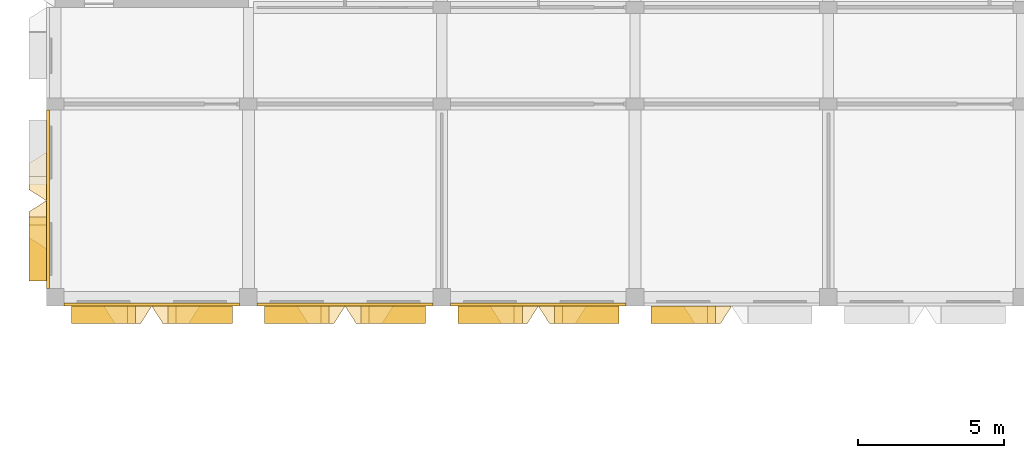
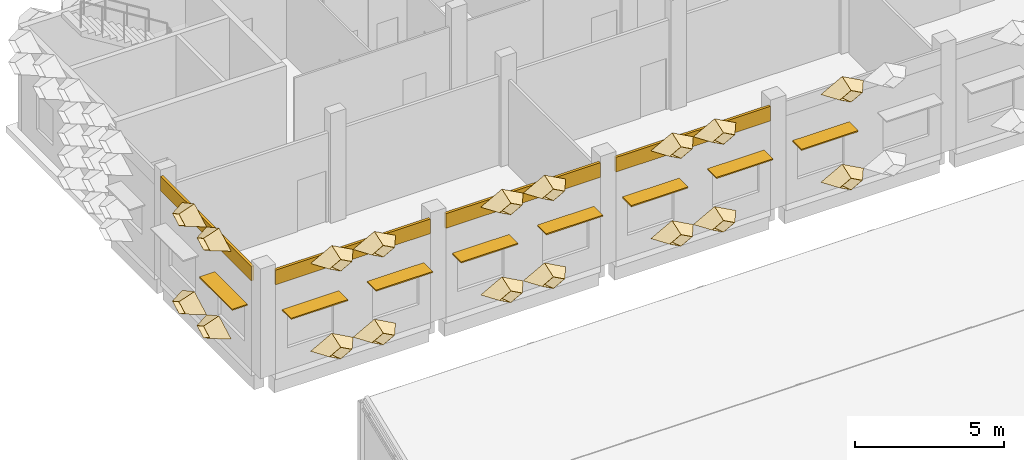
# One storey, part 85 of 109: 22 coverings, 8 shading devices.
"""IFC4 building model written with IfcOpenShell, lengths in metres."""

from ifc_helpers import new_model, entity, si_unit, direction, frame, frame_2d, origin, origin_2d, place, context, subcontext, project, spatial, rectangle, extrude, material, layer, layer_set, type_object, element, save


model = new_model("IFC4")

# Units and contexts
model_context = context("Model", 3, precision=1e-05, world=origin(), true_north=direction((0.0, 1.0)))
body_context = subcontext(model_context, "Body", "Model", "MODEL_VIEW")
ifc_project = project(units=[si_unit("LENGTHUNIT", "METRE"), si_unit("AREAUNIT", "SQUARE_METRE"), si_unit("VOLUMEUNIT", "CUBIC_METRE"), si_unit("PLANEANGLEUNIT", "RADIAN"), si_unit("MASSUNIT", "GRAM", prefix="KILO")], contexts=[model_context])

# Site, building, storey
site_placement = place(None, origin())
site = spatial("IfcSite", under=ifc_project, at=site_placement, CompositionType="ELEMENT")
building_placement = place(site_placement, origin())
building = spatial("IfcBuilding", under=site, at=building_placement, Name="Lantern Court Research Institute", CompositionType="ELEMENT")
storey_placement = place(building_placement, frame((0.0, 0.0, 14.39990234375)))
storey = spatial("IfcBuildingStorey", under=building, at=storey_placement, Name="L03", CompositionType="ELEMENT", Elevation=14.39990234375)

# Shading devices
ifc_material_1 = material(Name="Aluminium alloy 6063-T6", Category="aluminium")
ifc_layer_1 = layer(ifc_material_1, 0.050048828125)
ifc_layer_set_1 = layer_set([ifc_layer_1], Name="Aluminium alloy 6063-T6")
shading_device_type = type_object("IfcShadingDeviceType", Name="Brise-soleil blade 2200 x 600 x 50 aluminium", PredefinedType="USERDEFINED", material=ifc_layer_set_1)
for number, where, z_axis, x_axis, name in (
    (1, (1.64990234375, 81.89990234375, 2.5), (0.0, 0.0, 1.0), (-1.0, 0.0, 0.0), "Brise-soleil blade L03 S"),
    (2, (4.949951171875, 81.89990234375, 2.5), (0.0, 0.0, 1.0), (-1.0, 0.0, 0.0), "Brise-soleil blade L03 S"),
    (3, (8.25, 81.89990234375, 2.5), (0.0, 0.0, 1.0), (-1.0, 0.0, 0.0), "Brise-soleil blade L03 S"),
    (4, (11.550048828125, 81.89990234375, 2.5), (0.0, 0.0, 1.0), (-1.0, 0.0, 0.0), "Brise-soleil blade L03 S"),
    (5, (14.85009765625, 81.89990234375, 2.5), (0.0, 0.0, 1.0), (-1.0, 0.0, 0.0), "Brise-soleil blade L03 S"),
    (6, (18.14990234375, 81.89990234375, 2.5), (0.0, 0.0, 1.0), (-1.0, 0.0, 0.0), "Brise-soleil blade L03 S"),
    (7, (21.449951171875, 81.89990234375, 2.5), (0.0, 0.0, 1.0), (-1.0, 0.0, 0.0), "Brise-soleil blade L03 S"),
    (8, (-0.60009765625, 84.14990234375, 2.5), (0.0, 0.0, 1.0), (0.0, 1.0, 0.0), "Brise-soleil blade L03 W"),
):
    element("IfcShadingDevice", number, at=place(storey_placement, frame(where, z_axis=z_axis, x_axis=x_axis)), inside=storey, type_object=shading_device_type, Name=name, ObjectType="LOUVRE", PredefinedType="USERDEFINED", context=body_context, shape_type="SweptSolid", body=[
        extrude(rectangle(XDim=2.199951171875, YDim=0.60009765625, at=origin_2d()), origin(), (0.0, 0.0, 1.0), 0.050048828125),
    ])

# Coverings
ifc_material_2 = material(Name="Aluminium composite panel with mineral wool insulation", Category="aluminium")
ifc_layer_2 = layer(ifc_material_2, 0.10009765625)
ifc_layer_set_2 = layer_set([ifc_layer_2], Name="Aluminium composite panel with mineral wool insulation")
covering_type_1 = type_object("IfcCoveringType", Name="Edge fascia panel 100 aluminium faced", PredefinedType="CLADDING", material=ifc_layer_set_2)
for number, where, z_axis, x_axis, name in (
    (9, (6.300048828125, 82.25, 3.650146484375), (0.0, 0.0, 1.0), (-1.0, 0.0, 0.0), "Edge fascia V6S L03 01"),
    (10, (12.89990234375, 82.25, 3.650146484375), (0.0, 0.0, 1.0), (-1.0, 0.0, 0.0), "Edge fascia V6S L03 02"),
    (11, (19.5, 82.25, 3.650146484375), (0.0, 0.0, 1.0), (-1.0, 0.0, 0.0), "Edge fascia V6S L03 03"),
):
    element("IfcCovering", number, at=place(storey_placement, frame(where, z_axis=z_axis, x_axis=x_axis)), inside=storey, type_object=covering_type_1, Name=name, PredefinedType="CLADDING", context=body_context, shape_type="SweptSolid", body=[
        extrude(rectangle(XDim=6.0, YDim=0.10009765625, at=frame_2d((3.0, 0.0))), origin(), (0.0, 0.0, 1.0), 0.599853515625),
    ])
covering_1_placement = place(storey_placement, frame((-0.25, 82.800048828125, 3.650146484375), z_axis=(0.0, 0.0, 1.0), x_axis=(0.0, 1.0, 0.0)))
element("IfcCovering", 12, at=covering_1_placement, inside=storey, type_object=covering_type_1, Name="Edge fascia V6W L03 01", PredefinedType="CLADDING", context=body_context, shape_type="SweptSolid", body=[
    extrude(rectangle(XDim=6.099853515625, YDim=0.10009765625, at=frame_2d((3.0498046875, 0.0))), origin(), (0.0, 0.0, 1.0), 0.599853515625),
])
ifc_material_3 = material(Name="Anodised aluminium", Category="aluminium")
ifc_layer_3 = layer(ifc_material_3, 0.01611328125)
ifc_layer_set_3 = layer_set([ifc_layer_3], Name="Anodised aluminium")
covering_type_2 = type_object("IfcCoveringType", Name="Fin cassette 1650 x 900 x 600 aluminium", PredefinedType="CLADDING", material=ifc_layer_set_3)
covering_2_placement = place(storey_placement, frame((2.47509765625, 82.199951171875, 0.4501953125), z_axis=(0.0, -1.0, 0.0), x_axis=(1.0, 0.0, 0.0)))
cartesian_point_1 = entity("IfcCartesianPoint", [0.824951171875, 0.0])
cartesian_point_2 = entity("IfcCartesianPoint", [0.79150390625, 0.0])
cartesian_point_3 = entity("IfcCartesianPoint", [0.44189453125, 0.0])
cartesian_point_4 = entity("IfcCartesianPoint", [0.43359375, 0.0])
element("IfcCovering", 13, at=covering_2_placement, inside=storey, type_object=covering_type_2, Name="Fin cassette V6S-L03 1.2", PredefinedType="CLADDING", context=body_context, shape_type="SweptSolid", body=[
    entity("IfcExtrudedAreaSolidTapered", entity("IfcArbitraryProfileDefWithVoids", "AREA", None, entity("IfcPolyline", [cartesian_point_1, entity("IfcCartesianPoint", [0.0, 0.449951171875]), entity("IfcCartesianPoint", [-0.824951171875, 0.0]), entity("IfcCartesianPoint", [0.0, -0.449951171875]), cartesian_point_1]), [entity("IfcPolyline", [cartesian_point_2, entity("IfcCartesianPoint", [0.0, 0.431884765625]), entity("IfcCartesianPoint", [-0.79150390625, 0.0]), entity("IfcCartesianPoint", [0.0, -0.431884765625]), cartesian_point_2])]), entity("IfcAxis2Placement3D", entity("IfcCartesianPoint", [0.0, 0.0, 0.0])), entity("IfcDirection", [0.0, 0.0, 1.0]), 0.60009765625, entity("IfcArbitraryProfileDefWithVoids", "AREA", None, entity("IfcPolyline", [cartesian_point_3, entity("IfcCartesianPoint", [0.0, 0.240966796875]), entity("IfcCartesianPoint", [-0.44189453125, 0.0]), entity("IfcCartesianPoint", [0.0, -0.240966796875]), cartesian_point_3]), [entity("IfcPolyline", [cartesian_point_4, entity("IfcCartesianPoint", [0.0, 0.236572265625]), entity("IfcCartesianPoint", [-0.43359375, 0.0]), entity("IfcCartesianPoint", [0.0, -0.236572265625]), cartesian_point_4])])),
])
covering_3_placement = place(storey_placement, frame((4.125, 82.199951171875, 0.4501953125), z_axis=(0.0, -1.0, 0.0), x_axis=(1.0, 0.0, 0.0)))
cartesian_point_5 = entity("IfcCartesianPoint", [0.824951171875, 0.0])
cartesian_point_6 = entity("IfcCartesianPoint", [0.79150390625, 0.0])
cartesian_point_7 = entity("IfcCartesianPoint", [0.44189453125, 0.0])
cartesian_point_8 = entity("IfcCartesianPoint", [0.43359375, 0.0])
element("IfcCovering", 14, at=covering_3_placement, inside=storey, type_object=covering_type_2, Name="Fin cassette V6S-L03 1.3", PredefinedType="CLADDING", context=body_context, shape_type="SweptSolid", body=[
    entity("IfcExtrudedAreaSolidTapered", entity("IfcArbitraryProfileDefWithVoids", "AREA", None, entity("IfcPolyline", [cartesian_point_5, entity("IfcCartesianPoint", [0.0, 0.449951171875]), entity("IfcCartesianPoint", [-0.824951171875, 0.0]), entity("IfcCartesianPoint", [0.0, -0.449951171875]), cartesian_point_5]), [entity("IfcPolyline", [cartesian_point_6, entity("IfcCartesianPoint", [0.0, 0.431884765625]), entity("IfcCartesianPoint", [-0.79150390625, 0.0]), entity("IfcCartesianPoint", [0.0, -0.431884765625]), cartesian_point_6])]), entity("IfcAxis2Placement3D", entity("IfcCartesianPoint", [0.0, 0.0, 0.0])), entity("IfcDirection", [0.0, 0.0, 1.0]), 0.60009765625, entity("IfcArbitraryProfileDefWithVoids", "AREA", None, entity("IfcPolyline", [cartesian_point_7, entity("IfcCartesianPoint", [0.0, 0.240966796875]), entity("IfcCartesianPoint", [-0.44189453125, 0.0]), entity("IfcCartesianPoint", [0.0, -0.240966796875]), cartesian_point_7]), [entity("IfcPolyline", [cartesian_point_8, entity("IfcCartesianPoint", [0.0, 0.236572265625]), entity("IfcCartesianPoint", [-0.43359375, 0.0]), entity("IfcCartesianPoint", [0.0, -0.236572265625]), cartesian_point_8])])),
])
covering_4_placement = place(storey_placement, frame((9.074951171875, 82.199951171875, 0.4501953125), z_axis=(0.0, -1.0, 0.0), x_axis=(1.0, 0.0, 0.0)))
cartesian_point_9 = entity("IfcCartesianPoint", [0.824951171875, 0.0])
cartesian_point_10 = entity("IfcCartesianPoint", [0.79150390625, 0.0])
cartesian_point_11 = entity("IfcCartesianPoint", [0.44189453125, 0.0])
cartesian_point_12 = entity("IfcCartesianPoint", [0.43359375, 0.0])
element("IfcCovering", 15, at=covering_4_placement, inside=storey, type_object=covering_type_2, Name="Fin cassette V6S-L03 1.6", PredefinedType="CLADDING", context=body_context, shape_type="SweptSolid", body=[
    entity("IfcExtrudedAreaSolidTapered", entity("IfcArbitraryProfileDefWithVoids", "AREA", None, entity("IfcPolyline", [cartesian_point_9, entity("IfcCartesianPoint", [0.0, 0.449951171875]), entity("IfcCartesianPoint", [-0.824951171875, 0.0]), entity("IfcCartesianPoint", [0.0, -0.449951171875]), cartesian_point_9]), [entity("IfcPolyline", [cartesian_point_10, entity("IfcCartesianPoint", [0.0, 0.431884765625]), entity("IfcCartesianPoint", [-0.79150390625, 0.0]), entity("IfcCartesianPoint", [0.0, -0.431884765625]), cartesian_point_10])]), entity("IfcAxis2Placement3D", entity("IfcCartesianPoint", [0.0, 0.0, 0.0])), entity("IfcDirection", [0.0, 0.0, 1.0]), 0.60009765625, entity("IfcArbitraryProfileDefWithVoids", "AREA", None, entity("IfcPolyline", [cartesian_point_11, entity("IfcCartesianPoint", [0.0, 0.240966796875]), entity("IfcCartesianPoint", [-0.44189453125, 0.0]), entity("IfcCartesianPoint", [0.0, -0.240966796875]), cartesian_point_11]), [entity("IfcPolyline", [cartesian_point_12, entity("IfcCartesianPoint", [0.0, 0.236572265625]), entity("IfcCartesianPoint", [-0.43359375, 0.0]), entity("IfcCartesianPoint", [0.0, -0.236572265625]), cartesian_point_12])])),
])
covering_5_placement = place(storey_placement, frame((10.72509765625, 82.199951171875, 0.4501953125), z_axis=(0.0, -1.0, 0.0), x_axis=(1.0, 0.0, 0.0)))
cartesian_point_13 = entity("IfcCartesianPoint", [0.824951171875, 0.0])
cartesian_point_14 = entity("IfcCartesianPoint", [0.79150390625, 0.0])
cartesian_point_15 = entity("IfcCartesianPoint", [0.44189453125, 0.0])
cartesian_point_16 = entity("IfcCartesianPoint", [0.43359375, 0.0])
element("IfcCovering", 16, at=covering_5_placement, inside=storey, type_object=covering_type_2, Name="Fin cassette V6S-L03 1.7", PredefinedType="CLADDING", context=body_context, shape_type="SweptSolid", body=[
    entity("IfcExtrudedAreaSolidTapered", entity("IfcArbitraryProfileDefWithVoids", "AREA", None, entity("IfcPolyline", [cartesian_point_13, entity("IfcCartesianPoint", [0.0, 0.449951171875]), entity("IfcCartesianPoint", [-0.824951171875, 0.0]), entity("IfcCartesianPoint", [0.0, -0.449951171875]), cartesian_point_13]), [entity("IfcPolyline", [cartesian_point_14, entity("IfcCartesianPoint", [0.0, 0.431884765625]), entity("IfcCartesianPoint", [-0.79150390625, 0.0]), entity("IfcCartesianPoint", [0.0, -0.431884765625]), cartesian_point_14])]), entity("IfcAxis2Placement3D", entity("IfcCartesianPoint", [0.0, 0.0, 0.0])), entity("IfcDirection", [0.0, 0.0, 1.0]), 0.60009765625, entity("IfcArbitraryProfileDefWithVoids", "AREA", None, entity("IfcPolyline", [cartesian_point_15, entity("IfcCartesianPoint", [0.0, 0.240966796875]), entity("IfcCartesianPoint", [-0.44189453125, 0.0]), entity("IfcCartesianPoint", [0.0, -0.240966796875]), cartesian_point_15]), [entity("IfcPolyline", [cartesian_point_16, entity("IfcCartesianPoint", [0.0, 0.236572265625]), entity("IfcCartesianPoint", [-0.43359375, 0.0]), entity("IfcCartesianPoint", [0.0, -0.236572265625]), cartesian_point_16])])),
])
covering_6_placement = place(storey_placement, frame((15.675048828125, 82.199951171875, 0.4501953125), z_axis=(0.0, -1.0, 0.0), x_axis=(1.0, 0.0, 0.0)))
cartesian_point_17 = entity("IfcCartesianPoint", [0.824951171875, 0.0])
cartesian_point_18 = entity("IfcCartesianPoint", [0.79150390625, 0.0])
cartesian_point_19 = entity("IfcCartesianPoint", [0.44189453125, 0.0])
cartesian_point_20 = entity("IfcCartesianPoint", [0.43359375, 0.0])
element("IfcCovering", 17, at=covering_6_placement, inside=storey, type_object=covering_type_2, Name="Fin cassette V6S-L03 1.10", PredefinedType="CLADDING", context=body_context, shape_type="SweptSolid", body=[
    entity("IfcExtrudedAreaSolidTapered", entity("IfcArbitraryProfileDefWithVoids", "AREA", None, entity("IfcPolyline", [cartesian_point_17, entity("IfcCartesianPoint", [0.0, 0.449951171875]), entity("IfcCartesianPoint", [-0.824951171875, 0.0]), entity("IfcCartesianPoint", [0.0, -0.449951171875]), cartesian_point_17]), [entity("IfcPolyline", [cartesian_point_18, entity("IfcCartesianPoint", [0.0, 0.431884765625]), entity("IfcCartesianPoint", [-0.79150390625, 0.0]), entity("IfcCartesianPoint", [0.0, -0.431884765625]), cartesian_point_18])]), entity("IfcAxis2Placement3D", entity("IfcCartesianPoint", [0.0, 0.0, 0.0])), entity("IfcDirection", [0.0, 0.0, 1.0]), 0.60009765625, entity("IfcArbitraryProfileDefWithVoids", "AREA", None, entity("IfcPolyline", [cartesian_point_19, entity("IfcCartesianPoint", [0.0, 0.240966796875]), entity("IfcCartesianPoint", [-0.44189453125, 0.0]), entity("IfcCartesianPoint", [0.0, -0.240966796875]), cartesian_point_19]), [entity("IfcPolyline", [cartesian_point_20, entity("IfcCartesianPoint", [0.0, 0.236572265625]), entity("IfcCartesianPoint", [-0.43359375, 0.0]), entity("IfcCartesianPoint", [0.0, -0.236572265625]), cartesian_point_20])])),
])
covering_7_placement = place(storey_placement, frame((17.324951171875, 82.199951171875, 0.4501953125), z_axis=(0.0, -1.0, 0.0), x_axis=(1.0, 0.0, 0.0)))
cartesian_point_21 = entity("IfcCartesianPoint", [0.824951171875, 0.0])
cartesian_point_22 = entity("IfcCartesianPoint", [0.79150390625, 0.0])
cartesian_point_23 = entity("IfcCartesianPoint", [0.44189453125, 0.0])
cartesian_point_24 = entity("IfcCartesianPoint", [0.43359375, 0.0])
element("IfcCovering", 18, at=covering_7_placement, inside=storey, type_object=covering_type_2, Name="Fin cassette V6S-L03 1.11", PredefinedType="CLADDING", context=body_context, shape_type="SweptSolid", body=[
    entity("IfcExtrudedAreaSolidTapered", entity("IfcArbitraryProfileDefWithVoids", "AREA", None, entity("IfcPolyline", [cartesian_point_21, entity("IfcCartesianPoint", [0.0, 0.449951171875]), entity("IfcCartesianPoint", [-0.824951171875, 0.0]), entity("IfcCartesianPoint", [0.0, -0.449951171875]), cartesian_point_21]), [entity("IfcPolyline", [cartesian_point_22, entity("IfcCartesianPoint", [0.0, 0.431884765625]), entity("IfcCartesianPoint", [-0.79150390625, 0.0]), entity("IfcCartesianPoint", [0.0, -0.431884765625]), cartesian_point_22])]), entity("IfcAxis2Placement3D", entity("IfcCartesianPoint", [0.0, 0.0, 0.0])), entity("IfcDirection", [0.0, 0.0, 1.0]), 0.60009765625, entity("IfcArbitraryProfileDefWithVoids", "AREA", None, entity("IfcPolyline", [cartesian_point_23, entity("IfcCartesianPoint", [0.0, 0.240966796875]), entity("IfcCartesianPoint", [-0.44189453125, 0.0]), entity("IfcCartesianPoint", [0.0, -0.240966796875]), cartesian_point_23]), [entity("IfcPolyline", [cartesian_point_24, entity("IfcCartesianPoint", [0.0, 0.236572265625]), entity("IfcCartesianPoint", [-0.43359375, 0.0]), entity("IfcCartesianPoint", [0.0, -0.236572265625]), cartesian_point_24])])),
])
covering_8_placement = place(storey_placement, frame((22.27490234375, 82.199951171875, 0.4501953125), z_axis=(0.0, -1.0, 0.0), x_axis=(1.0, 0.0, 0.0)))
cartesian_point_25 = entity("IfcCartesianPoint", [0.824951171875, 0.0])
cartesian_point_26 = entity("IfcCartesianPoint", [0.79150390625, 0.0])
cartesian_point_27 = entity("IfcCartesianPoint", [0.44189453125, 0.0])
cartesian_point_28 = entity("IfcCartesianPoint", [0.43359375, 0.0])
element("IfcCovering", 19, at=covering_8_placement, inside=storey, type_object=covering_type_2, Name="Fin cassette V6S-L03 1.14", PredefinedType="CLADDING", context=body_context, shape_type="SweptSolid", body=[
    entity("IfcExtrudedAreaSolidTapered", entity("IfcArbitraryProfileDefWithVoids", "AREA", None, entity("IfcPolyline", [cartesian_point_25, entity("IfcCartesianPoint", [0.0, 0.449951171875]), entity("IfcCartesianPoint", [-0.824951171875, 0.0]), entity("IfcCartesianPoint", [0.0, -0.449951171875]), cartesian_point_25]), [entity("IfcPolyline", [cartesian_point_26, entity("IfcCartesianPoint", [0.0, 0.431884765625]), entity("IfcCartesianPoint", [-0.79150390625, 0.0]), entity("IfcCartesianPoint", [0.0, -0.431884765625]), cartesian_point_26])]), entity("IfcAxis2Placement3D", entity("IfcCartesianPoint", [0.0, 0.0, 0.0])), entity("IfcDirection", [0.0, 0.0, 1.0]), 0.60009765625, entity("IfcArbitraryProfileDefWithVoids", "AREA", None, entity("IfcPolyline", [cartesian_point_27, entity("IfcCartesianPoint", [0.0, 0.240966796875]), entity("IfcCartesianPoint", [-0.44189453125, 0.0]), entity("IfcCartesianPoint", [0.0, -0.240966796875]), cartesian_point_27]), [entity("IfcPolyline", [cartesian_point_28, entity("IfcCartesianPoint", [0.0, 0.236572265625]), entity("IfcCartesianPoint", [-0.43359375, 0.0]), entity("IfcCartesianPoint", [0.0, -0.236572265625]), cartesian_point_28])])),
])
covering_9_placement = place(storey_placement, frame((2.47509765625, 82.199951171875, 4.050048828125), z_axis=(0.0, -1.0, 0.0), x_axis=(1.0, 0.0, 0.0)))
cartesian_point_29 = entity("IfcCartesianPoint", [0.824951171875, 0.0])
cartesian_point_30 = entity("IfcCartesianPoint", [0.79150390625, 0.0])
cartesian_point_31 = entity("IfcCartesianPoint", [0.44189453125, 0.0])
cartesian_point_32 = entity("IfcCartesianPoint", [0.43359375, 0.0])
element("IfcCovering", 20, at=covering_9_placement, inside=storey, type_object=covering_type_2, Name="Fin cassette V6S-L03 5.2", PredefinedType="CLADDING", context=body_context, shape_type="SweptSolid", body=[
    entity("IfcExtrudedAreaSolidTapered", entity("IfcArbitraryProfileDefWithVoids", "AREA", None, entity("IfcPolyline", [cartesian_point_29, entity("IfcCartesianPoint", [0.0, 0.449951171875]), entity("IfcCartesianPoint", [-0.824951171875, 0.0]), entity("IfcCartesianPoint", [0.0, -0.449951171875]), cartesian_point_29]), [entity("IfcPolyline", [cartesian_point_30, entity("IfcCartesianPoint", [0.0, 0.431884765625]), entity("IfcCartesianPoint", [-0.79150390625, 0.0]), entity("IfcCartesianPoint", [0.0, -0.431884765625]), cartesian_point_30])]), entity("IfcAxis2Placement3D", entity("IfcCartesianPoint", [0.0, 0.0, 0.0])), entity("IfcDirection", [0.0, 0.0, 1.0]), 0.60009765625, entity("IfcArbitraryProfileDefWithVoids", "AREA", None, entity("IfcPolyline", [cartesian_point_31, entity("IfcCartesianPoint", [0.0, 0.240966796875]), entity("IfcCartesianPoint", [-0.44189453125, 0.0]), entity("IfcCartesianPoint", [0.0, -0.240966796875]), cartesian_point_31]), [entity("IfcPolyline", [cartesian_point_32, entity("IfcCartesianPoint", [0.0, 0.236572265625]), entity("IfcCartesianPoint", [-0.43359375, 0.0]), entity("IfcCartesianPoint", [0.0, -0.236572265625]), cartesian_point_32])])),
])
covering_10_placement = place(storey_placement, frame((4.125, 82.199951171875, 4.050048828125), z_axis=(0.0, -1.0, 0.0), x_axis=(1.0, 0.0, 0.0)))
cartesian_point_33 = entity("IfcCartesianPoint", [0.824951171875, 0.0])
cartesian_point_34 = entity("IfcCartesianPoint", [0.79150390625, 0.0])
cartesian_point_35 = entity("IfcCartesianPoint", [0.44189453125, 0.0])
cartesian_point_36 = entity("IfcCartesianPoint", [0.43359375, 0.0])
element("IfcCovering", 21, at=covering_10_placement, inside=storey, type_object=covering_type_2, Name="Fin cassette V6S-L03 5.3", PredefinedType="CLADDING", context=body_context, shape_type="SweptSolid", body=[
    entity("IfcExtrudedAreaSolidTapered", entity("IfcArbitraryProfileDefWithVoids", "AREA", None, entity("IfcPolyline", [cartesian_point_33, entity("IfcCartesianPoint", [0.0, 0.449951171875]), entity("IfcCartesianPoint", [-0.824951171875, 0.0]), entity("IfcCartesianPoint", [0.0, -0.449951171875]), cartesian_point_33]), [entity("IfcPolyline", [cartesian_point_34, entity("IfcCartesianPoint", [0.0, 0.431884765625]), entity("IfcCartesianPoint", [-0.79150390625, 0.0]), entity("IfcCartesianPoint", [0.0, -0.431884765625]), cartesian_point_34])]), entity("IfcAxis2Placement3D", entity("IfcCartesianPoint", [0.0, 0.0, 0.0])), entity("IfcDirection", [0.0, 0.0, 1.0]), 0.60009765625, entity("IfcArbitraryProfileDefWithVoids", "AREA", None, entity("IfcPolyline", [cartesian_point_35, entity("IfcCartesianPoint", [0.0, 0.240966796875]), entity("IfcCartesianPoint", [-0.44189453125, 0.0]), entity("IfcCartesianPoint", [0.0, -0.240966796875]), cartesian_point_35]), [entity("IfcPolyline", [cartesian_point_36, entity("IfcCartesianPoint", [0.0, 0.236572265625]), entity("IfcCartesianPoint", [-0.43359375, 0.0]), entity("IfcCartesianPoint", [0.0, -0.236572265625]), cartesian_point_36])])),
])
covering_11_placement = place(storey_placement, frame((9.074951171875, 82.199951171875, 4.050048828125), z_axis=(0.0, -1.0, 0.0), x_axis=(1.0, 0.0, 0.0)))
cartesian_point_37 = entity("IfcCartesianPoint", [0.824951171875, 0.0])
cartesian_point_38 = entity("IfcCartesianPoint", [0.79150390625, 0.0])
cartesian_point_39 = entity("IfcCartesianPoint", [0.44189453125, 0.0])
cartesian_point_40 = entity("IfcCartesianPoint", [0.43359375, 0.0])
element("IfcCovering", 22, at=covering_11_placement, inside=storey, type_object=covering_type_2, Name="Fin cassette V6S-L03 5.6", PredefinedType="CLADDING", context=body_context, shape_type="SweptSolid", body=[
    entity("IfcExtrudedAreaSolidTapered", entity("IfcArbitraryProfileDefWithVoids", "AREA", None, entity("IfcPolyline", [cartesian_point_37, entity("IfcCartesianPoint", [0.0, 0.449951171875]), entity("IfcCartesianPoint", [-0.824951171875, 0.0]), entity("IfcCartesianPoint", [0.0, -0.449951171875]), cartesian_point_37]), [entity("IfcPolyline", [cartesian_point_38, entity("IfcCartesianPoint", [0.0, 0.431884765625]), entity("IfcCartesianPoint", [-0.79150390625, 0.0]), entity("IfcCartesianPoint", [0.0, -0.431884765625]), cartesian_point_38])]), entity("IfcAxis2Placement3D", entity("IfcCartesianPoint", [0.0, 0.0, 0.0])), entity("IfcDirection", [0.0, 0.0, 1.0]), 0.60009765625, entity("IfcArbitraryProfileDefWithVoids", "AREA", None, entity("IfcPolyline", [cartesian_point_39, entity("IfcCartesianPoint", [0.0, 0.240966796875]), entity("IfcCartesianPoint", [-0.44189453125, 0.0]), entity("IfcCartesianPoint", [0.0, -0.240966796875]), cartesian_point_39]), [entity("IfcPolyline", [cartesian_point_40, entity("IfcCartesianPoint", [0.0, 0.236572265625]), entity("IfcCartesianPoint", [-0.43359375, 0.0]), entity("IfcCartesianPoint", [0.0, -0.236572265625]), cartesian_point_40])])),
])
covering_12_placement = place(storey_placement, frame((10.72509765625, 82.199951171875, 4.050048828125), z_axis=(0.0, -1.0, 0.0), x_axis=(1.0, 0.0, 0.0)))
cartesian_point_41 = entity("IfcCartesianPoint", [0.824951171875, 0.0])
cartesian_point_42 = entity("IfcCartesianPoint", [0.79150390625, 0.0])
cartesian_point_43 = entity("IfcCartesianPoint", [0.44189453125, 0.0])
cartesian_point_44 = entity("IfcCartesianPoint", [0.43359375, 0.0])
element("IfcCovering", 23, at=covering_12_placement, inside=storey, type_object=covering_type_2, Name="Fin cassette V6S-L03 5.7", PredefinedType="CLADDING", context=body_context, shape_type="SweptSolid", body=[
    entity("IfcExtrudedAreaSolidTapered", entity("IfcArbitraryProfileDefWithVoids", "AREA", None, entity("IfcPolyline", [cartesian_point_41, entity("IfcCartesianPoint", [0.0, 0.449951171875]), entity("IfcCartesianPoint", [-0.824951171875, 0.0]), entity("IfcCartesianPoint", [0.0, -0.449951171875]), cartesian_point_41]), [entity("IfcPolyline", [cartesian_point_42, entity("IfcCartesianPoint", [0.0, 0.431884765625]), entity("IfcCartesianPoint", [-0.79150390625, 0.0]), entity("IfcCartesianPoint", [0.0, -0.431884765625]), cartesian_point_42])]), entity("IfcAxis2Placement3D", entity("IfcCartesianPoint", [0.0, 0.0, 0.0])), entity("IfcDirection", [0.0, 0.0, 1.0]), 0.60009765625, entity("IfcArbitraryProfileDefWithVoids", "AREA", None, entity("IfcPolyline", [cartesian_point_43, entity("IfcCartesianPoint", [0.0, 0.240966796875]), entity("IfcCartesianPoint", [-0.44189453125, 0.0]), entity("IfcCartesianPoint", [0.0, -0.240966796875]), cartesian_point_43]), [entity("IfcPolyline", [cartesian_point_44, entity("IfcCartesianPoint", [0.0, 0.236572265625]), entity("IfcCartesianPoint", [-0.43359375, 0.0]), entity("IfcCartesianPoint", [0.0, -0.236572265625]), cartesian_point_44])])),
])
covering_13_placement = place(storey_placement, frame((15.675048828125, 82.199951171875, 4.050048828125), z_axis=(0.0, -1.0, 0.0), x_axis=(1.0, 0.0, 0.0)))
cartesian_point_45 = entity("IfcCartesianPoint", [0.824951171875, 0.0])
cartesian_point_46 = entity("IfcCartesianPoint", [0.79150390625, 0.0])
cartesian_point_47 = entity("IfcCartesianPoint", [0.44189453125, 0.0])
cartesian_point_48 = entity("IfcCartesianPoint", [0.43359375, 0.0])
element("IfcCovering", 24, at=covering_13_placement, inside=storey, type_object=covering_type_2, Name="Fin cassette V6S-L03 5.10", PredefinedType="CLADDING", context=body_context, shape_type="SweptSolid", body=[
    entity("IfcExtrudedAreaSolidTapered", entity("IfcArbitraryProfileDefWithVoids", "AREA", None, entity("IfcPolyline", [cartesian_point_45, entity("IfcCartesianPoint", [0.0, 0.449951171875]), entity("IfcCartesianPoint", [-0.824951171875, 0.0]), entity("IfcCartesianPoint", [0.0, -0.449951171875]), cartesian_point_45]), [entity("IfcPolyline", [cartesian_point_46, entity("IfcCartesianPoint", [0.0, 0.431884765625]), entity("IfcCartesianPoint", [-0.79150390625, 0.0]), entity("IfcCartesianPoint", [0.0, -0.431884765625]), cartesian_point_46])]), entity("IfcAxis2Placement3D", entity("IfcCartesianPoint", [0.0, 0.0, 0.0])), entity("IfcDirection", [0.0, 0.0, 1.0]), 0.60009765625, entity("IfcArbitraryProfileDefWithVoids", "AREA", None, entity("IfcPolyline", [cartesian_point_47, entity("IfcCartesianPoint", [0.0, 0.240966796875]), entity("IfcCartesianPoint", [-0.44189453125, 0.0]), entity("IfcCartesianPoint", [0.0, -0.240966796875]), cartesian_point_47]), [entity("IfcPolyline", [cartesian_point_48, entity("IfcCartesianPoint", [0.0, 0.236572265625]), entity("IfcCartesianPoint", [-0.43359375, 0.0]), entity("IfcCartesianPoint", [0.0, -0.236572265625]), cartesian_point_48])])),
])
covering_14_placement = place(storey_placement, frame((17.324951171875, 82.199951171875, 4.050048828125), z_axis=(0.0, -1.0, 0.0), x_axis=(1.0, 0.0, 0.0)))
cartesian_point_49 = entity("IfcCartesianPoint", [0.824951171875, 0.0])
cartesian_point_50 = entity("IfcCartesianPoint", [0.79150390625, 0.0])
cartesian_point_51 = entity("IfcCartesianPoint", [0.44189453125, 0.0])
cartesian_point_52 = entity("IfcCartesianPoint", [0.43359375, 0.0])
element("IfcCovering", 25, at=covering_14_placement, inside=storey, type_object=covering_type_2, Name="Fin cassette V6S-L03 5.11", PredefinedType="CLADDING", context=body_context, shape_type="SweptSolid", body=[
    entity("IfcExtrudedAreaSolidTapered", entity("IfcArbitraryProfileDefWithVoids", "AREA", None, entity("IfcPolyline", [cartesian_point_49, entity("IfcCartesianPoint", [0.0, 0.449951171875]), entity("IfcCartesianPoint", [-0.824951171875, 0.0]), entity("IfcCartesianPoint", [0.0, -0.449951171875]), cartesian_point_49]), [entity("IfcPolyline", [cartesian_point_50, entity("IfcCartesianPoint", [0.0, 0.431884765625]), entity("IfcCartesianPoint", [-0.79150390625, 0.0]), entity("IfcCartesianPoint", [0.0, -0.431884765625]), cartesian_point_50])]), entity("IfcAxis2Placement3D", entity("IfcCartesianPoint", [0.0, 0.0, 0.0])), entity("IfcDirection", [0.0, 0.0, 1.0]), 0.60009765625, entity("IfcArbitraryProfileDefWithVoids", "AREA", None, entity("IfcPolyline", [cartesian_point_51, entity("IfcCartesianPoint", [0.0, 0.240966796875]), entity("IfcCartesianPoint", [-0.44189453125, 0.0]), entity("IfcCartesianPoint", [0.0, -0.240966796875]), cartesian_point_51]), [entity("IfcPolyline", [cartesian_point_52, entity("IfcCartesianPoint", [0.0, 0.236572265625]), entity("IfcCartesianPoint", [-0.43359375, 0.0]), entity("IfcCartesianPoint", [0.0, -0.236572265625]), cartesian_point_52])])),
])
covering_15_placement = place(storey_placement, frame((22.27490234375, 82.199951171875, 4.050048828125), z_axis=(0.0, -1.0, 0.0), x_axis=(1.0, 0.0, 0.0)))
cartesian_point_53 = entity("IfcCartesianPoint", [0.824951171875, 0.0])
cartesian_point_54 = entity("IfcCartesianPoint", [0.79150390625, 0.0])
cartesian_point_55 = entity("IfcCartesianPoint", [0.44189453125, 0.0])
cartesian_point_56 = entity("IfcCartesianPoint", [0.43359375, 0.0])
element("IfcCovering", 26, at=covering_15_placement, inside=storey, type_object=covering_type_2, Name="Fin cassette V6S-L03 5.14", PredefinedType="CLADDING", context=body_context, shape_type="SweptSolid", body=[
    entity("IfcExtrudedAreaSolidTapered", entity("IfcArbitraryProfileDefWithVoids", "AREA", None, entity("IfcPolyline", [cartesian_point_53, entity("IfcCartesianPoint", [0.0, 0.449951171875]), entity("IfcCartesianPoint", [-0.824951171875, 0.0]), entity("IfcCartesianPoint", [0.0, -0.449951171875]), cartesian_point_53]), [entity("IfcPolyline", [cartesian_point_54, entity("IfcCartesianPoint", [0.0, 0.431884765625]), entity("IfcCartesianPoint", [-0.79150390625, 0.0]), entity("IfcCartesianPoint", [0.0, -0.431884765625]), cartesian_point_54])]), entity("IfcAxis2Placement3D", entity("IfcCartesianPoint", [0.0, 0.0, 0.0])), entity("IfcDirection", [0.0, 0.0, 1.0]), 0.60009765625, entity("IfcArbitraryProfileDefWithVoids", "AREA", None, entity("IfcPolyline", [cartesian_point_55, entity("IfcCartesianPoint", [0.0, 0.240966796875]), entity("IfcCartesianPoint", [-0.44189453125, 0.0]), entity("IfcCartesianPoint", [0.0, -0.240966796875]), cartesian_point_55]), [entity("IfcPolyline", [cartesian_point_56, entity("IfcCartesianPoint", [0.0, 0.236572265625]), entity("IfcCartesianPoint", [-0.43359375, 0.0]), entity("IfcCartesianPoint", [0.0, -0.236572265625]), cartesian_point_56])])),
])
covering_16_placement = place(storey_placement, frame((-0.300048828125, 84.97509765625, 0.4501953125), z_axis=(-1.0, 0.0, 0.0), x_axis=(0.0, -1.0, 0.0)))
cartesian_point_57 = entity("IfcCartesianPoint", [0.824951171875, 0.0])
cartesian_point_58 = entity("IfcCartesianPoint", [0.79150390625, 0.0])
cartesian_point_59 = entity("IfcCartesianPoint", [0.44189453125, 0.0])
cartesian_point_60 = entity("IfcCartesianPoint", [0.43359375, 0.0])
element("IfcCovering", 27, at=covering_16_placement, inside=storey, type_object=covering_type_2, Name="Fin cassette V6W-L03 1.52", PredefinedType="CLADDING", context=body_context, shape_type="SweptSolid", body=[
    entity("IfcExtrudedAreaSolidTapered", entity("IfcArbitraryProfileDefWithVoids", "AREA", None, entity("IfcPolyline", [cartesian_point_57, entity("IfcCartesianPoint", [0.0, 0.449951171875]), entity("IfcCartesianPoint", [-0.824951171875, 0.0]), entity("IfcCartesianPoint", [0.0, -0.449951171875]), cartesian_point_57]), [entity("IfcPolyline", [cartesian_point_58, entity("IfcCartesianPoint", [0.0, 0.431884765625]), entity("IfcCartesianPoint", [-0.79150390625, 0.0]), entity("IfcCartesianPoint", [0.0, -0.431884765625]), cartesian_point_58])]), entity("IfcAxis2Placement3D", entity("IfcCartesianPoint", [0.0, 0.0, 0.0])), entity("IfcDirection", [0.0, 0.0, 1.0]), 0.60009765625, entity("IfcArbitraryProfileDefWithVoids", "AREA", None, entity("IfcPolyline", [cartesian_point_59, entity("IfcCartesianPoint", [0.0, 0.240966796875]), entity("IfcCartesianPoint", [-0.44189453125, 0.0]), entity("IfcCartesianPoint", [0.0, -0.240966796875]), cartesian_point_59]), [entity("IfcPolyline", [cartesian_point_60, entity("IfcCartesianPoint", [0.0, 0.236572265625]), entity("IfcCartesianPoint", [-0.43359375, 0.0]), entity("IfcCartesianPoint", [0.0, -0.236572265625]), cartesian_point_60])])),
])
covering_17_placement = place(storey_placement, frame((-0.300048828125, 86.625, 0.4501953125), z_axis=(-1.0, 0.0, 0.0), x_axis=(0.0, -1.0, 0.0)))
cartesian_point_61 = entity("IfcCartesianPoint", [0.824951171875, 0.0])
cartesian_point_62 = entity("IfcCartesianPoint", [0.79150390625, 0.0])
cartesian_point_63 = entity("IfcCartesianPoint", [0.44189453125, 0.0])
cartesian_point_64 = entity("IfcCartesianPoint", [0.43359375, 0.0])
element("IfcCovering", 28, at=covering_17_placement, inside=storey, type_object=covering_type_2, Name="Fin cassette V6W-L03 1.53", PredefinedType="CLADDING", context=body_context, shape_type="SweptSolid", body=[
    entity("IfcExtrudedAreaSolidTapered", entity("IfcArbitraryProfileDefWithVoids", "AREA", None, entity("IfcPolyline", [cartesian_point_61, entity("IfcCartesianPoint", [0.0, 0.449951171875]), entity("IfcCartesianPoint", [-0.824951171875, 0.0]), entity("IfcCartesianPoint", [0.0, -0.449951171875]), cartesian_point_61]), [entity("IfcPolyline", [cartesian_point_62, entity("IfcCartesianPoint", [0.0, 0.431884765625]), entity("IfcCartesianPoint", [-0.79150390625, 0.0]), entity("IfcCartesianPoint", [0.0, -0.431884765625]), cartesian_point_62])]), entity("IfcAxis2Placement3D", entity("IfcCartesianPoint", [0.0, 0.0, 0.0])), entity("IfcDirection", [0.0, 0.0, 1.0]), 0.60009765625, entity("IfcArbitraryProfileDefWithVoids", "AREA", None, entity("IfcPolyline", [cartesian_point_63, entity("IfcCartesianPoint", [0.0, 0.240966796875]), entity("IfcCartesianPoint", [-0.44189453125, 0.0]), entity("IfcCartesianPoint", [0.0, -0.240966796875]), cartesian_point_63]), [entity("IfcPolyline", [cartesian_point_64, entity("IfcCartesianPoint", [0.0, 0.236572265625]), entity("IfcCartesianPoint", [-0.43359375, 0.0]), entity("IfcCartesianPoint", [0.0, -0.236572265625]), cartesian_point_64])])),
])
covering_18_placement = place(storey_placement, frame((-0.300048828125, 84.97509765625, 4.050048828125), z_axis=(-1.0, 0.0, 0.0), x_axis=(0.0, -1.0, 0.0)))
cartesian_point_65 = entity("IfcCartesianPoint", [0.824951171875, 0.0])
cartesian_point_66 = entity("IfcCartesianPoint", [0.79150390625, 0.0])
cartesian_point_67 = entity("IfcCartesianPoint", [0.44189453125, 0.0])
cartesian_point_68 = entity("IfcCartesianPoint", [0.43359375, 0.0])
element("IfcCovering", 29, at=covering_18_placement, inside=storey, type_object=covering_type_2, Name="Fin cassette V6W-L03 5.52", PredefinedType="CLADDING", context=body_context, shape_type="SweptSolid", body=[
    entity("IfcExtrudedAreaSolidTapered", entity("IfcArbitraryProfileDefWithVoids", "AREA", None, entity("IfcPolyline", [cartesian_point_65, entity("IfcCartesianPoint", [0.0, 0.449951171875]), entity("IfcCartesianPoint", [-0.824951171875, 0.0]), entity("IfcCartesianPoint", [0.0, -0.449951171875]), cartesian_point_65]), [entity("IfcPolyline", [cartesian_point_66, entity("IfcCartesianPoint", [0.0, 0.431884765625]), entity("IfcCartesianPoint", [-0.79150390625, 0.0]), entity("IfcCartesianPoint", [0.0, -0.431884765625]), cartesian_point_66])]), entity("IfcAxis2Placement3D", entity("IfcCartesianPoint", [0.0, 0.0, 0.0])), entity("IfcDirection", [0.0, 0.0, 1.0]), 0.60009765625, entity("IfcArbitraryProfileDefWithVoids", "AREA", None, entity("IfcPolyline", [cartesian_point_67, entity("IfcCartesianPoint", [0.0, 0.240966796875]), entity("IfcCartesianPoint", [-0.44189453125, 0.0]), entity("IfcCartesianPoint", [0.0, -0.240966796875]), cartesian_point_67]), [entity("IfcPolyline", [cartesian_point_68, entity("IfcCartesianPoint", [0.0, 0.236572265625]), entity("IfcCartesianPoint", [-0.43359375, 0.0]), entity("IfcCartesianPoint", [0.0, -0.236572265625]), cartesian_point_68])])),
])
covering_19_placement = place(storey_placement, frame((-0.300048828125, 86.625, 4.050048828125), z_axis=(-1.0, 0.0, 0.0), x_axis=(0.0, -1.0, 0.0)))
cartesian_point_69 = entity("IfcCartesianPoint", [0.824951171875, 0.0])
cartesian_point_70 = entity("IfcCartesianPoint", [0.79150390625, 0.0])
cartesian_point_71 = entity("IfcCartesianPoint", [0.44189453125, 0.0])
cartesian_point_72 = entity("IfcCartesianPoint", [0.43359375, 0.0])
element("IfcCovering", 30, at=covering_19_placement, inside=storey, type_object=covering_type_2, Name="Fin cassette V6W-L03 5.53", PredefinedType="CLADDING", context=body_context, shape_type="SweptSolid", body=[
    entity("IfcExtrudedAreaSolidTapered", entity("IfcArbitraryProfileDefWithVoids", "AREA", None, entity("IfcPolyline", [cartesian_point_69, entity("IfcCartesianPoint", [0.0, 0.449951171875]), entity("IfcCartesianPoint", [-0.824951171875, 0.0]), entity("IfcCartesianPoint", [0.0, -0.449951171875]), cartesian_point_69]), [entity("IfcPolyline", [cartesian_point_70, entity("IfcCartesianPoint", [0.0, 0.431884765625]), entity("IfcCartesianPoint", [-0.79150390625, 0.0]), entity("IfcCartesianPoint", [0.0, -0.431884765625]), cartesian_point_70])]), entity("IfcAxis2Placement3D", entity("IfcCartesianPoint", [0.0, 0.0, 0.0])), entity("IfcDirection", [0.0, 0.0, 1.0]), 0.60009765625, entity("IfcArbitraryProfileDefWithVoids", "AREA", None, entity("IfcPolyline", [cartesian_point_71, entity("IfcCartesianPoint", [0.0, 0.240966796875]), entity("IfcCartesianPoint", [-0.44189453125, 0.0]), entity("IfcCartesianPoint", [0.0, -0.240966796875]), cartesian_point_71]), [entity("IfcPolyline", [cartesian_point_72, entity("IfcCartesianPoint", [0.0, 0.236572265625]), entity("IfcCartesianPoint", [-0.43359375, 0.0]), entity("IfcCartesianPoint", [0.0, -0.236572265625]), cartesian_point_72])])),
])

save(model, "model.ifc")
